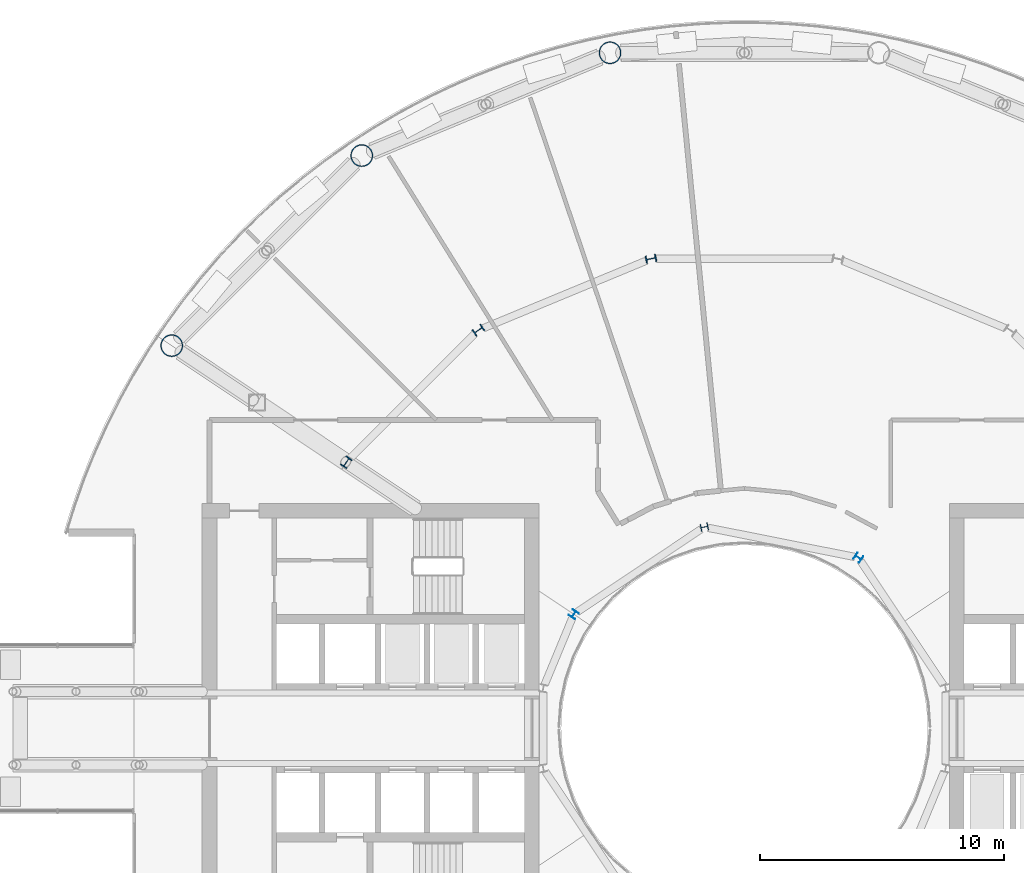
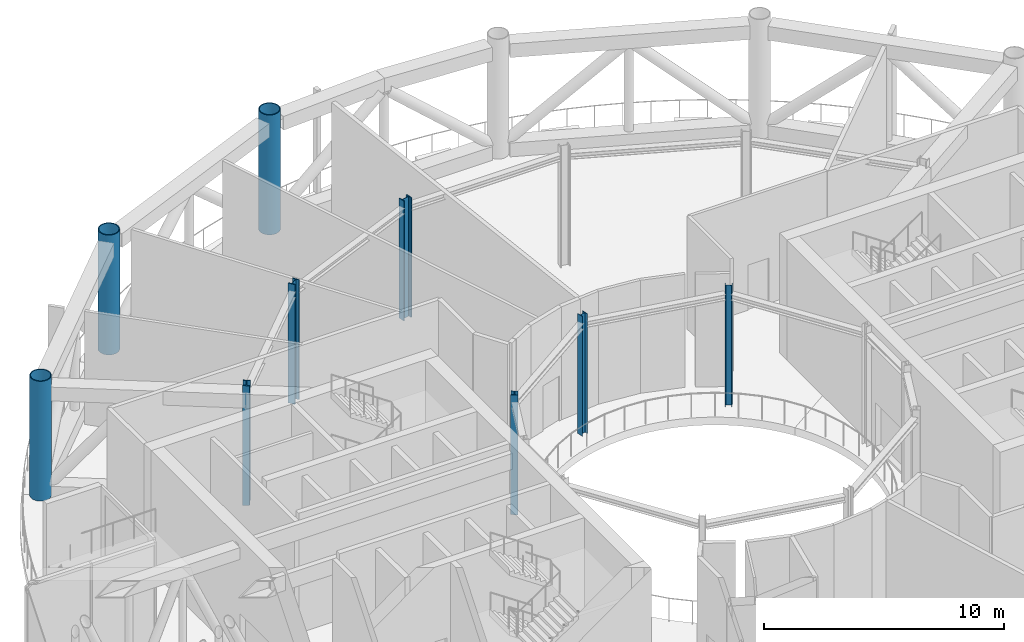
# One storey, part 3 of 25: 9 columns.
"""IFC4 building model written with IfcOpenShell, lengths in metres."""

from ifc_helpers import new_model, si_unit, direction, frame, origin, origin_2d, place, context, subcontext, project, spatial, hollow_circle, i_section, extrude, material, material_profile, profile_set, type_object, element, save


model = new_model("IFC4")

# Units and contexts
model_context = context("Model", 3, precision=1e-05, world=origin(), true_north=direction((0.0, 1.0)))
body_context = subcontext(model_context, "Body", "Model", "MODEL_VIEW")
ifc_project = project(units=[si_unit("LENGTHUNIT", "METRE"), si_unit("AREAUNIT", "SQUARE_METRE"), si_unit("VOLUMEUNIT", "CUBIC_METRE"), si_unit("PLANEANGLEUNIT", "RADIAN"), si_unit("MASSUNIT", "GRAM", prefix="KILO")], contexts=[model_context])

# Site, building, storey
site_placement = place(None, origin())
site = spatial("IfcSite", under=ifc_project, at=site_placement, CompositionType="ELEMENT")
building_placement = place(site_placement, origin())
building = spatial("IfcBuilding", under=site, at=building_placement, Name="Maasbend Ring Residences", CompositionType="ELEMENT")
storey_placement = place(building_placement, frame((0.0, 0.0, 139.10009765625)))
storey = spatial("IfcBuildingStorey", under=building, at=storey_placement, Name="L40", CompositionType="ELEMENT", Elevation=139.10009765625)

# Columns
ifc_material_1 = material(Name="Composite concrete-filled steel tube S460NH / C80/95", Category="concrete")
ifc_material_profile_1 = material_profile(ifc_material_1, hollow_circle(Radius=0.45703125, WallThickness=0.0400390625, at=origin_2d()), Name="Composite tube column CHS 914x40")
ifc_profile_set_1 = profile_set([ifc_material_profile_1], Name="Composite concrete-filled steel tube S460NH / C80/95")
column_type_1 = type_object("IfcColumnType", Name="Composite tube column CHS 914x40", PredefinedType="COLUMN", material=ifc_profile_set_1)
for number, where, z_axis, x_axis, name in (
    (1, (-5.50146484375, 27.658203125, 0.0), (0.0, 0.0, 1.0), (1.0, 0.0, 0.0), "Outer column R5"),
    (2, (-15.6669921875, 23.447509765625, 0.0), (0.0, 0.0, 1.0), (1.0, 0.0, 0.0), "Outer column R6"),
    (3, (-23.447509765625, 15.6669921875, 0.0), (0.0, 0.0, 1.0), (1.0, 0.0, 0.0), "Outer column R7"),
):
    element("IfcColumn", number, at=place(storey_placement, frame(where, z_axis=z_axis, x_axis=x_axis)), inside=storey, type_object=column_type_1, Name=name, PredefinedType="COLUMN", context=body_context, shape_type="SweptSolid", body=[
        extrude(hollow_circle(Radius=0.45703125, WallThickness=0.0400390625, at=origin_2d()), origin(), (0.0, 0.0, 1.0), 6.099853515625),
    ])
ifc_material_2 = material(Name="Steel S355J2", Category="steel")
ifc_material_profile_2 = material_profile(ifc_material_2, i_section(OverallWidth=0.300048828125, OverallDepth=0.300048828125, WebThickness=0.010986328125, FlangeThickness=0.01904296875, FilletRadius=0.027099609375, at=origin_2d()), Name="HEB 300")
ifc_profile_set_2 = profile_set([ifc_material_profile_2], Name="Steel S355J2")
column_type_2 = type_object("IfcColumnType", Name="Steel column HEB 300", PredefinedType="COLUMN", material=ifc_profile_set_2)
for number, where, z_axis, x_axis, name in (
    (4, (4.666748046875, 6.984375, 0.0), (0.0, 0.0, 1.0), (0.55557023302, 0.831469612303, 0.0), "Well ring column R3"),
    (5, (-1.638916015625, 8.238525390625, 0.0), (0.0, 0.0, 1.0), (-0.195090322016, 0.980785280403, 0.0), "Well ring column R5"),
    (6, (-6.984375, 4.666748046875, 0.0), (0.0, 0.0, 1.0), (-0.831469612303, 0.55557023302, 0.0), "Well ring column R7"),
):
    element("IfcColumn", number, at=place(storey_placement, frame(where, z_axis=z_axis, x_axis=x_axis)), inside=storey, type_object=column_type_2, Name=name, PredefinedType="COLUMN", context=body_context, shape_type="SweptSolid", body=[
        extrude(i_section(OverallWidth=0.300048828125, OverallDepth=0.300048828125, WebThickness=0.010986328125, FlangeThickness=0.01904296875, FilletRadius=0.027099609375, at=origin_2d()), origin(), (0.0, 0.0, 1.0), 6.099853515625),
    ])
ifc_material_3 = material(Name="Steel S460M", Category="steel")
ifc_material_profile_3 = material_profile(ifc_material_3, i_section(OverallWidth=0.306884765625, OverallDepth=0.431884765625, WebThickness=0.02099609375, FlangeThickness=0.0400390625, FilletRadius=0.027099609375, at=origin_2d()), Name="HEM 400")
ifc_profile_set_3 = profile_set([ifc_material_profile_3], Name="Steel S460M")
column_type_3 = type_object("IfcColumnType", Name="Steel column HEM 400", PredefinedType="COLUMN", material=ifc_profile_set_3)
for number, where, z_axis, x_axis, name in (
    (7, (-3.82373046875, 19.223388671875, 0.0), (0.0, 0.0, 1.0), (-0.195090322016, 0.980785280403, 0.0), "Corridor ring column R5"),
    (8, (-10.88916015625, 16.296875, 0.0), (0.0, 0.0, 1.0), (-0.55557023302, 0.831469612303, 0.0), "Corridor ring column R6"),
    (9, (-16.296875, 10.88916015625, 0.0), (0.0, 0.0, 1.0), (-0.831469612303, 0.55557023302, 0.0), "Corridor ring column R7"),
):
    element("IfcColumn", number, at=place(storey_placement, frame(where, z_axis=z_axis, x_axis=x_axis)), inside=storey, type_object=column_type_3, Name=name, PredefinedType="COLUMN", context=body_context, shape_type="SweptSolid", body=[
        extrude(i_section(OverallWidth=0.306884765625, OverallDepth=0.431884765625, WebThickness=0.02099609375, FlangeThickness=0.0400390625, FilletRadius=0.027099609375, at=origin_2d()), origin(), (0.0, 0.0, 1.0), 6.099853515625),
    ])

save(model, "model.ifc")
